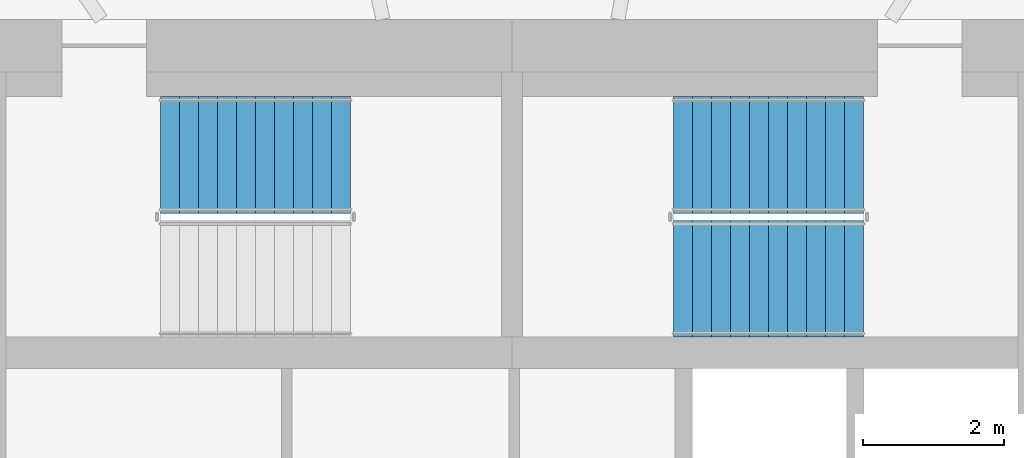
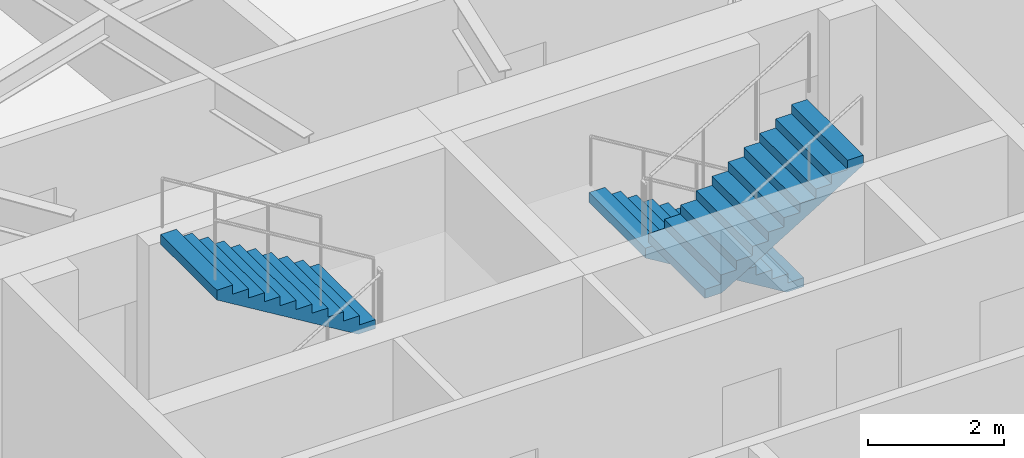
# One storey, part 11 of 14: 3 stair flights, 2 elements without a shape of their own.
"""IFC4 building model written with IfcOpenShell, lengths in metres."""

from ifc_helpers import new_model, si_unit, direction, frame, origin, place, context, subcontext, project, spatial, polyline, outline, extrude, material, type_object, element, aggregate, save


model = new_model("IFC4")

# Units and contexts
model_context = context("Model", 3, precision=1e-05, world=origin(), true_north=direction((0.0, 1.0)))
body_context = subcontext(model_context, "Body", "Model", "MODEL_VIEW")
ifc_project = project(units=[si_unit("LENGTHUNIT", "METRE"), si_unit("AREAUNIT", "SQUARE_METRE"), si_unit("VOLUMEUNIT", "CUBIC_METRE"), si_unit("PLANEANGLEUNIT", "RADIAN"), si_unit("MASSUNIT", "GRAM", prefix="KILO")], contexts=[model_context])

# Site, building, storey
site_placement = place(None, origin())
site = spatial("IfcSite", under=ifc_project, at=site_placement, CompositionType="ELEMENT")
building_placement = place(site_placement, origin())
building = spatial("IfcBuilding", under=site, at=building_placement, Name="Vermilion Reach Broadcast Tower", CompositionType="ELEMENT")
storey_placement = place(building_placement, frame((0.0, 0.0, 195.699951171875)))
storey = spatial("IfcBuildingStorey", under=building, at=storey_placement, Name="L47", CompositionType="ELEMENT", Elevation=195.699951171875)

# Stair, stair flight
ifc_material_1 = material(Name="Concrete C40", Category="concrete")
stair_type = type_object("IfcStairType", Name="Exit stair RC 22 risers 164 mm", PredefinedType="HALF_TURN_STAIR", material=ifc_material_1)
placement = place(storey_placement, origin())
stair_1 = element("IfcStair", 1, at=placement, inside=storey, type_object=stair_type, Name="L47 Exit stair ST1", PredefinedType="HALF_TURN_STAIR")
ifc_material_2 = material(Name="Concrete C40", Category="concrete")
stair_flight_type = type_object("IfcStairFlightType", Name="Exit stair flight RC 11 risers", PredefinedType="STRAIGHT", material=ifc_material_2)
stair_flight_1_placement = place(storey_placement, frame((-8.300048828125, 6.469970703125, 1.800048828125), z_axis=(0.0, 0.0, 1.0), x_axis=(-1.0, 0.0, 0.0)))
stair_flight_1 = element("IfcStairFlight", 2, at=stair_flight_1_placement, type_object=stair_flight_type, Name="ST1 flight 2", NumberOfRisers=11, NumberOfTreads=10, PredefinedType="STRAIGHT", RiserHeight=0.163636364, TreadLength=0.27, context=body_context, shape_type="SweptSolid", body=[
    extrude(outline(polyline([(0.0, 0.0), (0.0, 0.16357421875), (0.27001953125, 0.16357421875), (0.27001953125, 0.327392578125), (0.5400390625, 0.327392578125), (0.5400390625, 0.490966796875), (0.81005859375, 0.490966796875), (0.81005859375, 0.654541015625), (1.080078125, 0.654541015625), (1.080078125, 0.818115234375), (1.35009765625, 0.818115234375), (1.35009765625, 0.98193359375), (1.6201171875, 0.98193359375), (1.6201171875, 1.1455078125), (1.889892578125, 1.1455078125), (1.889892578125, 1.30908203125), (2.159912109375, 1.30908203125), (2.159912109375, 1.47265625), (2.429931640625, 1.47265625), (2.429931640625, 1.636474609375), (2.699951171875, 1.636474609375), (2.699951171875, 1.800048828125), (2.699951171875, 1.461181640625), (0.289306640625, 0.0), (0.0, 0.0)])), frame((0.0, 0.830078125, 0.0), z_axis=(0.0, -1.0, 0.0), x_axis=(1.0, 0.0, 0.0)), (0.0, 0.0, 1.0), 1.659912109375),
])
aggregate(stair_1, [stair_flight_1])

# Stair, stair flights
stair_2 = element("IfcStair", 3, at=placement, inside=storey, type_object=stair_type, Name="L47 Exit stair ST2", PredefinedType="HALF_TURN_STAIR")
stair_flight_2_placement = place(storey_placement, frame((-1.0, 6.469970703125, 0.0), z_axis=(0.0, 0.0, 1.0), x_axis=(-1.0, 0.0, 0.0)))
stair_flight_2 = element("IfcStairFlight", 4, at=stair_flight_2_placement, type_object=stair_flight_type, Name="ST2 flight 1", NumberOfRisers=11, NumberOfTreads=10, PredefinedType="STRAIGHT", RiserHeight=0.163636364, TreadLength=0.27, context=body_context, shape_type="SweptSolid", body=[
    extrude(outline(polyline([(0.0, 0.0), (0.0, 0.16357421875), (0.27001953125, 0.16357421875), (0.27001953125, 0.327392578125), (0.5400390625, 0.327392578125), (0.5400390625, 0.490966796875), (0.81005859375, 0.490966796875), (0.81005859375, 0.654541015625), (1.080078125, 0.654541015625), (1.080078125, 0.818115234375), (1.35009765625, 0.818115234375), (1.35009765625, 0.98193359375), (1.6201171875, 0.98193359375), (1.6201171875, 1.1455078125), (1.889892578125, 1.1455078125), (1.889892578125, 1.30908203125), (2.159912109375, 1.30908203125), (2.159912109375, 1.47265625), (2.429931640625, 1.47265625), (2.429931640625, 1.636474609375), (2.699951171875, 1.636474609375), (2.699951171875, 1.800048828125), (2.699951171875, 1.461181640625), (0.289306640625, 0.0), (0.0, 0.0)])), frame((0.0, 0.830078125, 0.0), z_axis=(0.0, -1.0, 0.0), x_axis=(1.0, 0.0, 0.0)), (0.0, 0.0, 1.0), 1.659912109375),
])
stair_flight_3_placement = place(storey_placement, frame((-3.699951171875, 4.7099609375, 1.800048828125), z_axis=(0.0, 0.0, 1.0), x_axis=(1.0, 0.0, 0.0)))
stair_flight_3 = element("IfcStairFlight", 5, at=stair_flight_3_placement, type_object=stair_flight_type, Name="ST2 flight 2", NumberOfRisers=11, NumberOfTreads=10, PredefinedType="STRAIGHT", RiserHeight=0.163636364, TreadLength=0.27, context=body_context, shape_type="SweptSolid", body=[
    extrude(outline(polyline([(0.0, 0.0), (0.0, 0.16357421875), (0.27001953125, 0.16357421875), (0.27001953125, 0.327392578125), (0.5400390625, 0.327392578125), (0.5400390625, 0.490966796875), (0.81005859375, 0.490966796875), (0.81005859375, 0.654541015625), (1.080078125, 0.654541015625), (1.080078125, 0.818115234375), (1.35009765625, 0.818115234375), (1.35009765625, 0.98193359375), (1.6201171875, 0.98193359375), (1.6201171875, 1.1455078125), (1.889892578125, 1.1455078125), (1.889892578125, 1.30908203125), (2.159912109375, 1.30908203125), (2.159912109375, 1.47265625), (2.429931640625, 1.47265625), (2.429931640625, 1.636474609375), (2.699951171875, 1.636474609375), (2.699951171875, 1.800048828125), (2.699951171875, 1.461181640625), (0.289306640625, 0.0), (0.0, 0.0)])), frame((0.0, 0.830078125, 0.0), z_axis=(0.0, -1.0, 0.0), x_axis=(1.0, 0.0, 0.0)), (0.0, 0.0, 1.0), 1.659912109375),
])
aggregate(stair_2, [stair_flight_2, stair_flight_3])

save(model, "model.ifc")
